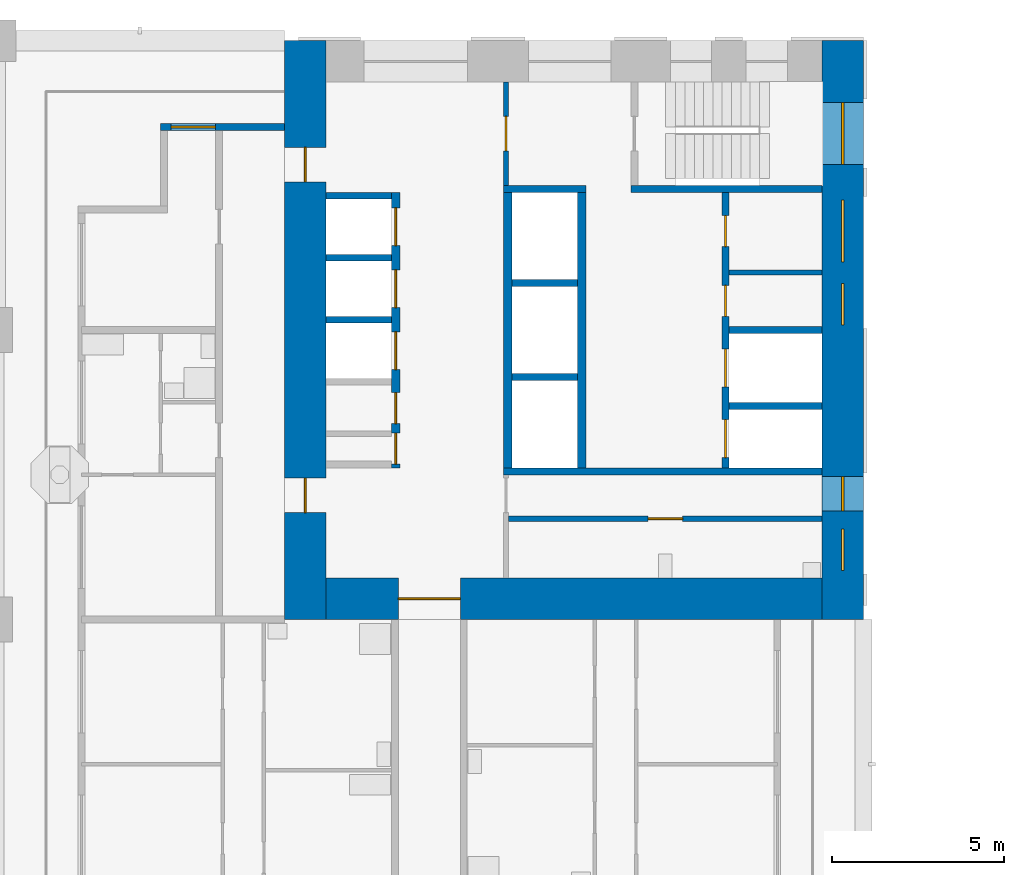
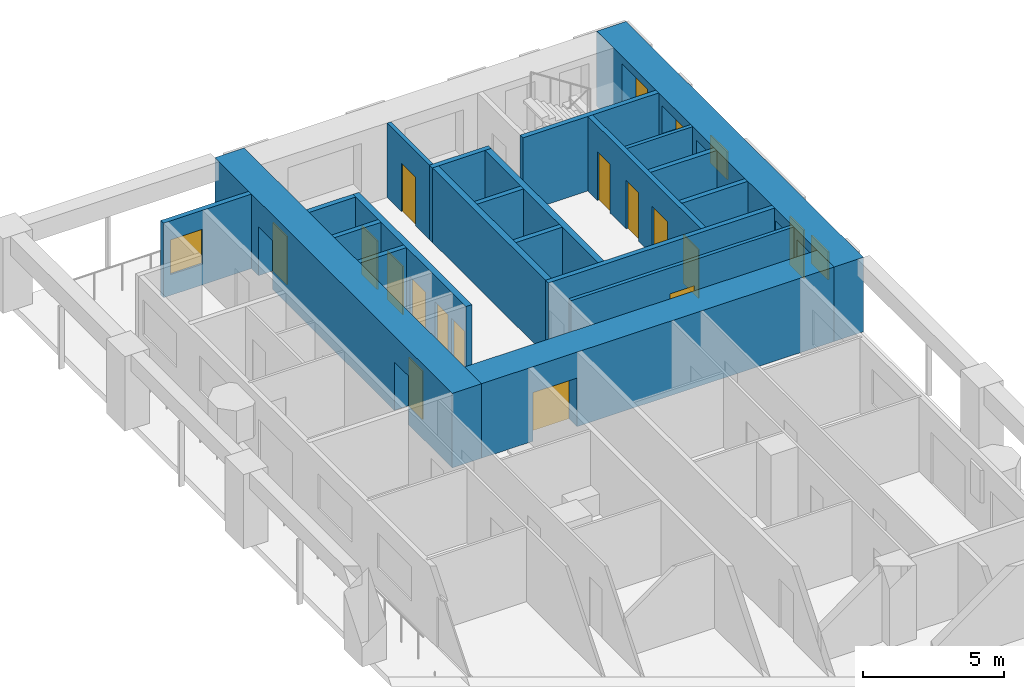
# One storey, part 7 of 18: 21 walls, 14 doors, 6 windows, 20 openings.
"""IFC4 building model written with IfcOpenShell, lengths in metres."""

from ifc_helpers import new_model, si_unit, direction, frame, frame_2d, origin, place, context, subcontext, project, spatial, rectangle, extrude, material, layer, layer_set, type_object, element, fill, save


model = new_model("IFC4")

# Units and contexts
model_context = context("Model", 3, precision=1e-05, world=origin(), true_north=direction((0.0, 1.0)))
body_context = subcontext(model_context, "Body", "Model", "MODEL_VIEW")
ifc_project = project(units=[si_unit("LENGTHUNIT", "METRE"), si_unit("AREAUNIT", "SQUARE_METRE"), si_unit("VOLUMEUNIT", "CUBIC_METRE"), si_unit("PLANEANGLEUNIT", "RADIAN"), si_unit("MASSUNIT", "GRAM", prefix="KILO")], contexts=[model_context])

# Site, building, storey
site_placement = place(None, origin())
site = spatial("IfcSite", under=ifc_project, at=site_placement, CompositionType="ELEMENT")
building_placement = place(site_placement, origin())
building = spatial("IfcBuilding", under=site, at=building_placement, Name="Vermilion Gate Residences", CompositionType="ELEMENT")
storey_placement = place(building_placement, frame((0.0, 0.0, 102.199951171875)))
storey = spatial("IfcBuildingStorey", under=building, at=storey_placement, Name="L25", CompositionType="ELEMENT", Elevation=102.199951171875)

# Wall
ifc_material_1 = material(Name="Masonry blockwork", Category="masonry")
ifc_layer_1 = layer(ifc_material_1, 0.14990234375)
ifc_layer_set_1 = layer_set([ifc_layer_1], Name="BLOCKWORK PARTITION 150 EI 120")
wall_type_1 = type_object("IfcWallType", Name="BLOCKWORK PARTITION 150 EI 120", PredefinedType="PARTITIONING", material=ifc_layer_set_1)
wall_1_placement = place(storey_placement, frame((21.300048828125, 52.074951171875, 0.0), z_axis=(0.0, 0.0, 1.0), x_axis=(1.0, 0.0, 0.0)))
element("IfcWall", 1, at=wall_1_placement, inside=storey, type_object=wall_type_1, Name="Core room partition B25-NR-P0", PredefinedType="PARTITIONING", context=body_context, shape_type="SweptSolid", body=[
    extrude(rectangle(XDim=2.699951171875, YDim=0.14990234375, at=frame_2d((1.35009765625, 0.0))), origin(), (0.0, 0.0, 1.0), 3.219970703125),
])

# Wall, opening, door
wall_2_placement = place(storey_placement, frame((14.824951171875, 57.60009765625, 0.0), z_axis=(0.0, 0.0, 1.0), x_axis=(0.0, -1.0, 0.0)))
wall_2 = element("IfcWall", 2, at=wall_2_placement, inside=storey, type_object=wall_type_1, Name="Core room partition B25-VW-S", PredefinedType="PARTITIONING", context=body_context, shape_type="SweptSolid", body=[
    extrude(rectangle(XDim=3.0, YDim=0.14990234375, at=frame_2d((1.5, 0.0))), origin(), (0.0, 0.0, 1.0), 3.219970703125),
])
opening_1_placement = place(wall_2_placement, frame((1.0, 0.0, 0.0)))
opening_1 = element("IfcOpeningElement", 3, at=opening_1_placement, cuts=wall_2, Name="Opening DK25113", PredefinedType="OPENING", context=body_context, shape_type="SweptSolid", body=[
    extrude(rectangle(XDim=1.0, YDim=2.10009765625, at=frame_2d((0.5, 1.050048828125))), frame((0.0, 0.0849609375, 0.0), z_axis=(0.0, -1.0, 0.0), x_axis=(1.0, 0.0, 0.0)), (0.0, 0.0, 1.0), 0.169921875),
])
ifc_material_2 = material(Name="Steel", Category="steel")
door_type_1 = type_object("IfcDoorType", Name="FIRE DOOR FD60 1000 X 2100", OperationType="SINGLE_SWING_LEFT", PredefinedType="DOOR", material=ifc_material_2)
door_1_placement = place(opening_1_placement, frame((1.0, 0.0, 0.0), z_axis=(0.0, 0.0, 1.0), x_axis=(-1.0, 0.0, 0.0)))
door_1 = element("IfcDoor", 4, at=door_1_placement, inside=storey, type_object=door_type_1, Name="Stair vestibule door B25", OperationType="SINGLE_SWING_RIGHT", OverallHeight=2.10009765625, OverallWidth=1.0, PredefinedType="DOOR", context=body_context, shape_type="SweptSolid", body=[
    extrude(rectangle(XDim=1.0, YDim=2.10009765625, at=frame_2d((0.5, 1.050048828125))), frame((0.0, 0.02490234375, 0.0), z_axis=(0.0, -1.0, 0.0), x_axis=(1.0, 0.0, 0.0)), (0.0, 0.0, 1.0), 0.050048828125),
])
fill(opening_1, door_1)

wall_3_placement = place(storey_placement, frame((14.89990234375, 44.925048828125, 0.0), z_axis=(0.0, 0.0, 1.0), x_axis=(1.0, 0.0, 0.0)))
wall_3 = element("IfcWall", 5, at=wall_3_placement, inside=storey, type_object=wall_type_1, Name="Core room partition B25-ES-W", PredefinedType="PARTITIONING", context=body_context, shape_type="SweptSolid", body=[
    extrude(rectangle(XDim=9.10009765625, YDim=0.14990234375, at=frame_2d((4.550048828125, 0.0))), origin(), (0.0, 0.0, 1.0), 3.219970703125),
])
opening_2_placement = place(wall_3_placement, frame((4.050048828125, 0.0, 0.0)))
opening_2 = element("IfcOpeningElement", 6, at=opening_2_placement, cuts=wall_3, Name="Opening DK25116", PredefinedType="OPENING", context=body_context, shape_type="SweptSolid", body=[
    extrude(rectangle(XDim=1.0, YDim=2.10009765625, at=frame_2d((0.5, 1.050048828125))), frame((0.0, 0.0849609375, 0.0), z_axis=(0.0, -1.0, 0.0), x_axis=(1.0, 0.0, 0.0)), (0.0, 0.0, 1.0), 0.169921875),
])
door_2_placement = place(opening_2_placement, frame((1.0, 0.0, 0.0), z_axis=(0.0, 0.0, 1.0), x_axis=(-1.0, 0.0, 0.0)))
door_2 = element("IfcDoor", 7, at=door_2_placement, inside=storey, type_object=door_type_1, Name="Accessible WC B25", OperationType="SINGLE_SWING_RIGHT", OverallHeight=2.10009765625, OverallWidth=1.0, PredefinedType="DOOR", context=body_context, shape_type="SweptSolid", body=[
    extrude(rectangle(XDim=1.0, YDim=2.10009765625, at=frame_2d((0.5, 1.050048828125))), frame((0.0, 0.02490234375, 0.0), z_axis=(0.0, -1.0, 0.0), x_axis=(1.0, 0.0, 0.0)), (0.0, 0.0, 1.0), 0.050048828125),
])
fill(opening_2, door_2)

# Wall, opening, window
ifc_material_3 = material(Name="Insulated steel stud wall with terracotta rainscreen", Category="masonry")
ifc_layer_2 = layer(ifc_material_3, 0.199951171875)
ifc_layer_set_2 = layer_set([ifc_layer_2], Name="EXTERNAL WALL 200 TERRACOTTA RAINSCREEN")
wall_type_2 = type_object("IfcWallType", Name="EXTERNAL WALL 200 TERRACOTTA RAINSCREEN", PredefinedType="SOLIDWALL", material=ifc_layer_set_2)
wall_4_placement = place(storey_placement, frame((8.39990234375, 56.300048828125, 0.0), z_axis=(0.0, 0.0, 1.0), x_axis=(-1.0, 0.0, 0.0)))
wall_4 = element("IfcWall", 8, at=wall_4_placement, inside=storey, type_object=wall_type_2, Name="External wall", PredefinedType="SOLIDWALL", context=body_context, shape_type="SweptSolid", body=[
    extrude(rectangle(XDim=3.599853515625, YDim=0.199951171875, at=frame_2d((1.7998046875, 0.0))), origin(), (0.0, 0.0, 1.0), 3.219970703125),
])
opening_3_placement = place(wall_4_placement, frame((2.0, 0.0, 0.89990234375)))
opening_3 = element("IfcOpeningElement", 9, at=opening_3_placement, cuts=wall_4, Name="Opening WE25001", PredefinedType="OPENING", context=body_context, shape_type="SweptSolid", body=[
    extrude(rectangle(XDim=1.300048828125, YDim=1.5, at=frame_2d((0.64990234375, 0.75))), frame((0.0, 0.10986328125, 0.0), z_axis=(0.0, -1.0, 0.0), x_axis=(1.0, 0.0, 0.0)), (0.0, 0.0, 1.0), 0.219970703125),
])
ifc_material_4 = material(Name="Aluminium and clear glass", Category="aluminium")
window_type_1 = type_object("IfcWindowType", Name="WINDOW 1300 X 1500", PartitioningType="SINGLE_PANEL", PredefinedType="WINDOW", material=ifc_material_4)
window_1_placement = place(opening_3_placement, origin())
window_1 = element("IfcWindow", 10, at=window_1_placement, inside=storey, type_object=window_type_1, Name="Window", OverallHeight=1.5, OverallWidth=1.300048828125, PartitioningType="SINGLE_PANEL", PredefinedType="WINDOW", context=body_context, shape_type="SweptSolid", body=[
    extrude(rectangle(XDim=1.300048828125, YDim=1.5, at=frame_2d((0.64990234375, 0.75))), frame((0.0, 0.030029296875, 0.0), z_axis=(0.0, -1.0, 0.0), x_axis=(1.0, 0.0, 0.0)), (0.0, 0.0, 1.0), 0.06005859375),
])
fill(opening_3, window_1)

# Walls
ifc_material_5 = material(Name="Concrete C60", Category="concrete")
ifc_layer_3 = layer(ifc_material_5, 0.199951171875)
ifc_layer_set_3 = layer_set([ifc_layer_3], Name="RC CORE INTERNAL WALL 200 C60")
wall_type_3 = type_object("IfcWallType", Name="RC CORE INTERNAL WALL 200 C60", PredefinedType="SHEAR", material=ifc_layer_set_3)
for number, where, z_axis, x_axis, name in (
    (11, (9.60009765625, 54.300048828125, 0.0), (0.0, 0.0, 1.0), (1.0, 0.0, 0.0), "Core internal wall B25-LR-D0"),
    (12, (9.60009765625, 52.5, 0.0), (0.0, 0.0, 1.0), (1.0, 0.0, 0.0), "Core internal wall B25-LR-D1"),
    (13, (9.60009765625, 50.699951171875, 0.0), (0.0, 0.0, 1.0), (1.0, 0.0, 0.0), "Core internal wall B25-LR-D2"),
    (14, (15.0, 51.7666015625, 0.0), (0.0, 0.0, 1.0), (1.0, 0.0, 0.0), "Core internal wall B25-HR-D1"),
    (15, (15.0, 49.033447265625, 0.0), (0.0, 0.0, 1.0), (1.0, 0.0, 0.0), "Core internal wall B25-HR-D2"),
):
    element("IfcWall", number, at=place(storey_placement, frame(where, z_axis=z_axis, x_axis=x_axis)), inside=storey, type_object=wall_type_3, Name=name, PredefinedType="SHEAR", context=body_context, shape_type="SweptSolid", body=[
        extrude(rectangle(XDim=1.89990234375, YDim=0.199951171875, at=frame_2d((0.949951171875, 0.0))), origin(), (0.0, 0.0, 1.0), 3.219970703125),
    ])
for number, where, z_axis, x_axis, name in (
    (16, (21.300048828125, 50.39990234375, 0.0), (0.0, 0.0, 1.0), (1.0, 0.0, 0.0), "Core internal wall B25-FF-D0"),
    (17, (21.300048828125, 48.199951171875, 0.0), (0.0, 0.0, 1.0), (1.0, 0.0, 0.0), "Core internal wall B25-FF-D1"),
):
    element("IfcWall", number, at=place(storey_placement, frame(where, z_axis=z_axis, x_axis=x_axis)), inside=storey, type_object=wall_type_3, Name=name, PredefinedType="SHEAR", context=body_context, shape_type="SweptSolid", body=[
        extrude(rectangle(XDim=2.699951171875, YDim=0.199951171875, at=frame_2d((1.35009765625, 0.0))), origin(), (0.0, 0.0, 1.0), 3.219970703125),
    ])

# Wall, openings, doors
wall_5_placement = place(storey_placement, frame((21.199951171875, 54.39990234375, 0.0), z_axis=(0.0, 0.0, 1.0), x_axis=(0.0, -1.0, 0.0)))
wall_5 = element("IfcWall", 18, at=wall_5_placement, inside=storey, type_object=wall_type_3, Name="Core internal wall B25-FF-F", PredefinedType="SHEAR", context=body_context, shape_type="SweptSolid", body=[
    extrude(rectangle(XDim=8.0, YDim=0.199951171875, at=frame_2d((4.0, 0.0))), origin(), (0.0, 0.0, 1.0), 3.219970703125),
])
opening_4_placement = place(wall_5_placement, frame((0.675048828125, 0.0, 0.0)))
opening_4 = element("IfcOpeningElement", 19, at=opening_4_placement, cuts=wall_5, Name="Opening DK25109", PredefinedType="OPENING", context=body_context, shape_type="SweptSolid", body=[
    extrude(rectangle(XDim=0.89990234375, YDim=2.10009765625, at=frame_2d((0.449951171875, 1.050048828125))), frame((0.0, 0.10986328125, 0.0), z_axis=(0.0, -1.0, 0.0), x_axis=(1.0, 0.0, 0.0)), (0.0, 0.0, 1.0), 0.219970703125),
])
opening_5_placement = place(wall_5_placement, frame((2.699951171875, 0.0, 0.0)))
opening_5 = element("IfcOpeningElement", 20, at=opening_5_placement, cuts=wall_5, Name="Opening DK25110", PredefinedType="OPENING", context=body_context, shape_type="SweptSolid", body=[
    extrude(rectangle(XDim=0.89990234375, YDim=2.10009765625, at=frame_2d((0.449951171875, 1.050048828125))), frame((0.0, 0.10986328125, 0.0), z_axis=(0.0, -1.0, 0.0), x_axis=(1.0, 0.0, 0.0)), (0.0, 0.0, 1.0), 0.219970703125),
])
opening_6_placement = place(wall_5_placement, frame((4.550048828125, 0.0, 0.0)))
opening_6 = element("IfcOpeningElement", 21, at=opening_6_placement, cuts=wall_5, Name="Opening LD", PredefinedType="OPENING", context=body_context, shape_type="SweptSolid", body=[
    extrude(rectangle(XDim=1.10009765625, YDim=2.10009765625, at=frame_2d((0.550048828125, 1.050048828125))), frame((0.0, 0.10986328125, 0.0), z_axis=(0.0, -1.0, 0.0), x_axis=(1.0, 0.0, 0.0)), (0.0, 0.0, 1.0), 0.219970703125),
])
opening_7_placement = place(wall_5_placement, frame((6.60009765625, 0.0, 0.0)))
opening_7 = element("IfcOpeningElement", 22, at=opening_7_placement, cuts=wall_5, Name="Opening LD", PredefinedType="OPENING", context=body_context, shape_type="SweptSolid", body=[
    extrude(rectangle(XDim=1.10009765625, YDim=2.10009765625, at=frame_2d((0.550048828125, 1.050048828125))), frame((0.0, 0.10986328125, 0.0), z_axis=(0.0, -1.0, 0.0), x_axis=(1.0, 0.0, 0.0)), (0.0, 0.0, 1.0), 0.219970703125),
])
ifc_material_6 = material(Name="Stainless steel", Category="steel")
door_type_2 = type_object("IfcDoorType", Name="LIFT LANDING DOOR E60 1100 X 2100", OperationType="DOUBLE_DOOR_SLIDING", PredefinedType="DOOR", material=ifc_material_6)
door_3_placement = place(opening_6_placement, origin())
door_3 = element("IfcDoor", 23, at=door_3_placement, inside=storey, type_object=door_type_2, Name="Lift landing door LFB1", OperationType="DOUBLE_DOOR_SLIDING", OverallHeight=2.10009765625, OverallWidth=1.10009765625, PredefinedType="DOOR", context=body_context, shape_type="SweptSolid", body=[
    extrude(rectangle(XDim=1.10009765625, YDim=2.10009765625, at=frame_2d((0.550048828125, 1.050048828125))), frame((0.0, 0.02490234375, 0.0), z_axis=(0.0, -1.0, 0.0), x_axis=(1.0, 0.0, 0.0)), (0.0, 0.0, 1.0), 0.050048828125),
])
fill(opening_6, door_3)
door_4_placement = place(opening_7_placement, origin())
door_4 = element("IfcDoor", 24, at=door_4_placement, inside=storey, type_object=door_type_2, Name="Lift landing door LCB1", OperationType="DOUBLE_DOOR_SLIDING", OverallHeight=2.10009765625, OverallWidth=1.10009765625, PredefinedType="DOOR", context=body_context, shape_type="SweptSolid", body=[
    extrude(rectangle(XDim=1.10009765625, YDim=2.10009765625, at=frame_2d((0.550048828125, 1.050048828125))), frame((0.0, 0.02490234375, 0.0), z_axis=(0.0, -1.0, 0.0), x_axis=(1.0, 0.0, 0.0)), (0.0, 0.0, 1.0), 0.050048828125),
])
fill(opening_7, door_4)
ifc_material_7 = material(Name="Steel", Category="steel")
door_type_3 = type_object("IfcDoorType", Name="SERVICE ROOM DOOR FD60 900 X 2100", OperationType="SINGLE_SWING_LEFT", PredefinedType="DOOR", material=ifc_material_7)
door_5_placement = place(opening_4_placement, origin())
door_5 = element("IfcDoor", 25, at=door_5_placement, inside=storey, type_object=door_type_3, Name="Housekeeping store B25", OperationType="SINGLE_SWING_RIGHT", OverallHeight=2.10009765625, OverallWidth=0.89990234375, PredefinedType="DOOR", context=body_context, shape_type="SweptSolid", body=[
    extrude(rectangle(XDim=0.89990234375, YDim=2.10009765625, at=frame_2d((0.449951171875, 1.050048828125))), frame((0.0, 0.02490234375, 0.0), z_axis=(0.0, -1.0, 0.0), x_axis=(1.0, 0.0, 0.0)), (0.0, 0.0, 1.0), 0.050048828125),
])
fill(opening_4, door_5)
door_6_placement = place(opening_5_placement, origin())
door_6 = element("IfcDoor", 26, at=door_6_placement, inside=storey, type_object=door_type_3, Name="Mail room B25", OperationType="SINGLE_SWING_RIGHT", OverallHeight=2.10009765625, OverallWidth=0.89990234375, PredefinedType="DOOR", context=body_context, shape_type="SweptSolid", body=[
    extrude(rectangle(XDim=0.89990234375, YDim=2.10009765625, at=frame_2d((0.449951171875, 1.050048828125))), frame((0.0, 0.02490234375, 0.0), z_axis=(0.0, -1.0, 0.0), x_axis=(1.0, 0.0, 0.0)), (0.0, 0.0, 1.0), 0.050048828125),
])
fill(opening_5, door_6)

# Walls
wall_6_placement = place(storey_placement, frame((14.75, 54.5, 0.0), z_axis=(0.0, 0.0, 1.0), x_axis=(1.0, 0.0, 0.0)))
element("IfcWall", 27, at=wall_6_placement, inside=storey, type_object=wall_type_3, Name="Core internal wall B25-WDIV1", PredefinedType="SHEAR", context=body_context, shape_type="SweptSolid", body=[
    extrude(rectangle(XDim=2.39990234375, YDim=0.199951171875, at=frame_2d((1.199951171875, 0.0))), origin(), (0.0, 0.0, 1.0), 3.219970703125),
])
wall_7_placement = place(storey_placement, frame((18.449951171875, 54.5, 0.0), z_axis=(0.0, 0.0, 1.0), x_axis=(1.0, 0.0, 0.0)))
element("IfcWall", 28, at=wall_7_placement, inside=storey, type_object=wall_type_3, Name="Core internal wall B25-WDIV2", PredefinedType="SHEAR", context=body_context, shape_type="SweptSolid", body=[
    extrude(rectangle(XDim=5.550048828125, YDim=0.199951171875, at=frame_2d((2.77490234375, 0.0))), origin(), (0.0, 0.0, 1.0), 3.219970703125),
])
wall_8_placement = place(storey_placement, frame((14.75, 46.300048828125, 0.0), z_axis=(0.0, 0.0, 1.0), x_axis=(1.0, 0.0, 0.0)))
element("IfcWall", 29, at=wall_8_placement, inside=storey, type_object=wall_type_3, Name="Core internal wall B25-EDIV", PredefinedType="SHEAR", context=body_context, shape_type="SweptSolid", body=[
    extrude(rectangle(XDim=9.25, YDim=0.199951171875, at=frame_2d((4.625, 0.0))), origin(), (0.0, 0.0, 1.0), 3.219970703125),
])

# Wall, openings, doors
ifc_material_8 = material(Name="Concrete C70", Category="concrete")
ifc_layer_4 = layer(ifc_material_8, 1.199951171875)
ifc_layer_set_4 = layer_set([ifc_layer_4], Name="RC CORE WALL 1200 C70")
wall_type_4 = type_object("IfcWallType", Name="RC CORE WALL 1200 C70", PredefinedType="SHEAR", material=ifc_layer_set_4)
wall_9_placement = place(storey_placement, frame((9.0, 58.800048828125, 0.0), z_axis=(0.0, 0.0, 1.0), x_axis=(0.0, -1.0, 0.0)))
wall_9 = element("IfcWall", 30, at=wall_9_placement, inside=storey, type_object=wall_type_4, Name="Core wall B25-OUT-B0", PredefinedType="SHEAR", context=body_context, shape_type="SweptSolid", body=[
    extrude(rectangle(XDim=16.800048828125, YDim=1.199951171875, at=frame_2d((8.39990234375, 0.0))), origin(), (0.0, 0.0, 1.0), 3.219970703125),
])
opening_8_placement = place(wall_9_placement, frame((3.10009765625, 0.0, 0.0)))
opening_8 = element("IfcOpeningElement", 31, at=opening_8_placement, cuts=wall_9, Name="Opening DK25101", PredefinedType="OPENING", context=body_context, shape_type="SweptSolid", body=[
    extrude(rectangle(XDim=1.0, YDim=2.10009765625, at=frame_2d((0.5, 1.050048828125))), frame((0.0, 0.60986328125, 0.0), z_axis=(0.0, -1.0, 0.0), x_axis=(1.0, 0.0, 0.0)), (0.0, 0.0, 1.0), 1.219970703125),
])
opening_9_placement = place(wall_9_placement, frame((12.699951171875, 0.0, 0.0)))
opening_9 = element("IfcOpeningElement", 32, at=opening_9_placement, cuts=wall_9, Name="Opening DK25102", PredefinedType="OPENING", context=body_context, shape_type="SweptSolid", body=[
    extrude(rectangle(XDim=1.0, YDim=2.10009765625, at=frame_2d((0.5, 1.050048828125))), frame((0.0, 0.60986328125, 0.0), z_axis=(0.0, -1.0, 0.0), x_axis=(1.0, 0.0, 0.0)), (0.0, 0.0, 1.0), 1.219970703125),
])
door_7_placement = place(opening_8_placement, origin())
door_7 = element("IfcDoor", 33, at=door_7_placement, inside=storey, type_object=door_type_1, Name="Core lobby side door B25", OperationType="SINGLE_SWING_RIGHT", OverallHeight=2.10009765625, OverallWidth=1.0, PredefinedType="DOOR", context=body_context, shape_type="SweptSolid", body=[
    extrude(rectangle(XDim=1.0, YDim=2.10009765625, at=frame_2d((0.5, 1.050048828125))), frame((0.0, 0.02490234375, 0.0), z_axis=(0.0, -1.0, 0.0), x_axis=(1.0, 0.0, 0.0)), (0.0, 0.0, 1.0), 0.050048828125),
])
fill(opening_8, door_7)
door_8_placement = place(opening_9_placement, origin())
door_8 = element("IfcDoor", 34, at=door_8_placement, inside=storey, type_object=door_type_1, Name="Core lobby side door B25", OperationType="SINGLE_SWING_LEFT", OverallHeight=2.10009765625, OverallWidth=1.0, PredefinedType="DOOR", context=body_context, shape_type="SweptSolid", body=[
    extrude(rectangle(XDim=1.0, YDim=2.10009765625, at=frame_2d((0.5, 1.050048828125))), frame((0.0, 0.02490234375, 0.0), z_axis=(0.0, -1.0, 0.0), x_axis=(1.0, 0.0, 0.0)), (0.0, 0.0, 1.0), 0.050048828125),
])
fill(opening_9, door_8)

# Wall, opening, door
wall_10_placement = place(storey_placement, frame((9.60009765625, 42.60009765625, 0.0), z_axis=(0.0, 0.0, 1.0), x_axis=(1.0, 0.0, 0.0)))
wall_10 = element("IfcWall", 35, at=wall_10_placement, inside=storey, type_object=wall_type_4, Name="Core wall B25-OUT-BK", PredefinedType="SHEAR", context=body_context, shape_type="SweptSolid", body=[
    extrude(rectangle(XDim=14.39990234375, YDim=1.199951171875, at=frame_2d((7.199951171875, 0.0))), origin(), (0.0, 0.0, 1.0), 3.219970703125),
])
opening_10_placement = place(wall_10_placement, frame((2.10009765625, 0.0, 0.0)))
opening_10 = element("IfcOpeningElement", 36, at=opening_10_placement, cuts=wall_10, Name="Opening DK25103", PredefinedType="OPENING", context=body_context, shape_type="SweptSolid", body=[
    extrude(rectangle(XDim=1.800048828125, YDim=2.10009765625, at=frame_2d((0.89990234375, 1.050048828125))), frame((0.0, 0.60986328125, 0.0), z_axis=(0.0, -1.0, 0.0), x_axis=(1.0, 0.0, 0.0)), (0.0, 0.0, 1.0), 1.219970703125),
])
ifc_material_9 = material(Name="Steel", Category="steel")
door_type_4 = type_object("IfcDoorType", Name="CORE LOBBY DOOR FD60 1800 X 2100", OperationType="DOUBLE_DOOR_SINGLE_SWING", PredefinedType="DOOR", material=ifc_material_9)
door_9_placement = place(opening_10_placement, origin())
door_9 = element("IfcDoor", 37, at=door_9_placement, inside=storey, type_object=door_type_4, Name="Core lobby door B25", OperationType="DOUBLE_DOOR_SINGLE_SWING", OverallHeight=2.10009765625, OverallWidth=1.800048828125, PredefinedType="DOOR", context=body_context, shape_type="SweptSolid", body=[
    extrude(rectangle(XDim=1.800048828125, YDim=2.10009765625, at=frame_2d((0.89990234375, 1.050048828125))), frame((0.0, 0.02490234375, 0.0), z_axis=(0.0, -1.0, 0.0), x_axis=(1.0, 0.0, 0.0)), (0.0, 0.0, 1.0), 0.050048828125),
])
fill(opening_10, door_9)

# Wall, openings, windows
ifc_material_10 = material(Name="Concrete C70 red-oxide pigmented", Category="concrete")
ifc_layer_5 = layer(ifc_material_10, 1.199951171875)
ifc_layer_set_5 = layer_set([ifc_layer_5], Name="RC CORE WALL 1200 C70 RED OXIDE")
wall_type_5 = type_object("IfcWallType", Name="RC CORE WALL 1200 C70 RED OXIDE", PredefinedType="SHEAR", material=ifc_layer_set_5)
wall_11_placement = place(storey_placement, frame((24.60009765625, 58.800048828125, 0.0), z_axis=(0.0, 0.0, 1.0), x_axis=(0.0, -1.0, 0.0)))
wall_11 = element("IfcWall", 38, at=wall_11_placement, inside=storey, type_object=wall_type_5, Name="Core wall B25-OUT-B1", PredefinedType="SHEAR", context=body_context, shape_type="SweptSolid", body=[
    extrude(rectangle(XDim=16.800048828125, YDim=1.199951171875, at=frame_2d((8.39990234375, 0.0))), origin(), (0.0, 0.0, 1.0), 3.219970703125),
])
opening_11_placement = place(wall_11_placement, frame((1.800048828125, 0.0, 0.5)))
opening_11 = element("IfcOpeningElement", 39, at=opening_11_placement, cuts=wall_11, Name="Opening WKB2501", PredefinedType="OPENING", context=body_context, shape_type="SweptSolid", body=[
    extrude(rectangle(XDim=1.800048828125, YDim=2.39990234375, at=frame_2d((0.89990234375, 1.199951171875))), frame((0.0, 0.60986328125, 0.0), z_axis=(0.0, -1.0, 0.0), x_axis=(1.0, 0.0, 0.0)), (0.0, 0.0, 1.0), 1.219970703125),
])
opening_12_placement = place(wall_11_placement, frame((4.625, 0.0, 1.60009765625)))
opening_12 = element("IfcOpeningElement", 40, at=opening_12_placement, cuts=wall_11, Name="Opening WKB2502", PredefinedType="OPENING", context=body_context, shape_type="SweptSolid", body=[
    extrude(rectangle(XDim=1.800048828125, YDim=1.199951171875, at=frame_2d((0.89990234375, 0.60009765625))), frame((0.0, 0.60986328125, 0.0), z_axis=(0.0, -1.0, 0.0), x_axis=(1.0, 0.0, 0.0)), (0.0, 0.0, 1.0), 1.219970703125),
])
opening_13_placement = place(wall_11_placement, frame((7.050048828125, 0.0, 1.60009765625)))
opening_13 = element("IfcOpeningElement", 41, at=opening_13_placement, cuts=wall_11, Name="Opening WKB2503", PredefinedType="OPENING", context=body_context, shape_type="SweptSolid", body=[
    extrude(rectangle(XDim=1.199951171875, YDim=1.199951171875, at=frame_2d((0.60009765625, 0.60009765625))), frame((0.0, 0.60986328125, 0.0), z_axis=(0.0, -1.0, 0.0), x_axis=(1.0, 0.0, 0.0)), (0.0, 0.0, 1.0), 1.219970703125),
])
opening_14_placement = place(wall_11_placement, frame((12.64990234375, 0.0, 0.60009765625)))
opening_14 = element("IfcOpeningElement", 42, at=opening_14_placement, cuts=wall_11, Name="Opening WKB2504", PredefinedType="OPENING", context=body_context, shape_type="SweptSolid", body=[
    extrude(rectangle(XDim=1.0, YDim=2.10009765625, at=frame_2d((0.5, 1.050048828125))), frame((0.0, 0.60986328125, 0.0), z_axis=(0.0, -1.0, 0.0), x_axis=(1.0, 0.0, 0.0)), (0.0, 0.0, 1.0), 1.219970703125),
])
opening_15_placement = place(wall_11_placement, frame((14.175048828125, 0.0, 1.60009765625)))
opening_15 = element("IfcOpeningElement", 43, at=opening_15_placement, cuts=wall_11, Name="Opening WKB2505", PredefinedType="OPENING", context=body_context, shape_type="SweptSolid", body=[
    extrude(rectangle(XDim=1.199951171875, YDim=1.199951171875, at=frame_2d((0.60009765625, 0.60009765625))), frame((0.0, 0.60986328125, 0.0), z_axis=(0.0, -1.0, 0.0), x_axis=(1.0, 0.0, 0.0)), (0.0, 0.0, 1.0), 1.219970703125),
])
ifc_material_11 = material(Name="Aluminium and clear glass", Category="aluminium")
window_type_2 = type_object("IfcWindowType", Name="CORE CORRIDOR WINDOW 1000 X 2100", PartitioningType="SINGLE_PANEL", PredefinedType="WINDOW", material=ifc_material_11)
window_2_placement = place(opening_14_placement, origin())
window_2 = element("IfcWindow", 44, at=window_2_placement, inside=storey, type_object=window_type_2, Name="Core corridor window", OverallHeight=2.10009765625, OverallWidth=1.0, PartitioningType="SINGLE_PANEL", PredefinedType="WINDOW", context=body_context, shape_type="SweptSolid", body=[
    extrude(rectangle(XDim=1.0, YDim=2.10009765625, at=frame_2d((0.5, 1.050048828125))), frame((0.0, 0.030029296875, 0.0), z_axis=(0.0, -1.0, 0.0), x_axis=(1.0, 0.0, 0.0)), (0.0, 0.0, 1.0), 0.06005859375),
])
fill(opening_14, window_2)
ifc_material_12 = material(Name="Aluminium frame with louvre blades", Category="aluminium")
window_type_3 = type_object("IfcWindowType", Name="CORE LOUVRE 1200 X 1200", PartitioningType="SINGLE_PANEL", PredefinedType="WINDOW", material=ifc_material_12)
window_3_placement = place(opening_13_placement, origin())
window_3 = element("IfcWindow", 45, at=window_3_placement, inside=storey, type_object=window_type_3, Name="Core louvre", OverallHeight=1.199951171875, OverallWidth=1.199951171875, PartitioningType="SINGLE_PANEL", PredefinedType="WINDOW", context=body_context, shape_type="SweptSolid", body=[
    extrude(rectangle(XDim=1.199951171875, YDim=1.199951171875, at=frame_2d((0.60009765625, 0.60009765625))), frame((0.0, 0.030029296875, 0.0), z_axis=(0.0, -1.0, 0.0), x_axis=(1.0, 0.0, 0.0)), (0.0, 0.0, 1.0), 0.06005859375),
])
fill(opening_13, window_3)
window_4_placement = place(opening_15_placement, origin())
window_4 = element("IfcWindow", 46, at=window_4_placement, inside=storey, type_object=window_type_3, Name="Core louvre", OverallHeight=1.199951171875, OverallWidth=1.199951171875, PartitioningType="SINGLE_PANEL", PredefinedType="WINDOW", context=body_context, shape_type="SweptSolid", body=[
    extrude(rectangle(XDim=1.199951171875, YDim=1.199951171875, at=frame_2d((0.60009765625, 0.60009765625))), frame((0.0, 0.030029296875, 0.0), z_axis=(0.0, -1.0, 0.0), x_axis=(1.0, 0.0, 0.0)), (0.0, 0.0, 1.0), 0.06005859375),
])
fill(opening_15, window_4)
ifc_material_13 = material(Name="Aluminium frame with louvre blades", Category="aluminium")
window_type_4 = type_object("IfcWindowType", Name="CORE LOUVRE 1800 X 1200", PartitioningType="SINGLE_PANEL", PredefinedType="WINDOW", material=ifc_material_13)
window_5_placement = place(opening_12_placement, origin())
window_5 = element("IfcWindow", 47, at=window_5_placement, inside=storey, type_object=window_type_4, Name="Core louvre", OverallHeight=1.199951171875, OverallWidth=1.800048828125, PartitioningType="SINGLE_PANEL", PredefinedType="WINDOW", context=body_context, shape_type="SweptSolid", body=[
    extrude(rectangle(XDim=1.800048828125, YDim=1.199951171875, at=frame_2d((0.89990234375, 0.60009765625))), frame((0.0, 0.030029296875, 0.0), z_axis=(0.0, -1.0, 0.0), x_axis=(1.0, 0.0, 0.0)), (0.0, 0.0, 1.0), 0.06005859375),
])
fill(opening_12, window_5)
ifc_material_14 = material(Name="Aluminium and clear glass", Category="aluminium")
window_type_5 = type_object("IfcWindowType", Name="CORE STAIR WINDOW 1800 X 2400", PartitioningType="SINGLE_PANEL", PredefinedType="WINDOW", material=ifc_material_14)
window_6_placement = place(opening_11_placement, origin())
window_6 = element("IfcWindow", 48, at=window_6_placement, inside=storey, type_object=window_type_5, Name="Core stair window", OverallHeight=2.39990234375, OverallWidth=1.800048828125, PartitioningType="SINGLE_PANEL", PredefinedType="WINDOW", context=body_context, shape_type="SweptSolid", body=[
    extrude(rectangle(XDim=1.800048828125, YDim=2.39990234375, at=frame_2d((0.89990234375, 1.199951171875))), frame((0.0, 0.030029296875, 0.0), z_axis=(0.0, -1.0, 0.0), x_axis=(1.0, 0.0, 0.0)), (0.0, 0.0, 1.0), 0.06005859375),
])
fill(opening_11, window_6)

# Wall, openings, doors
ifc_material_15 = material(Name="Concrete C60", Category="concrete")
ifc_layer_6 = layer(ifc_material_15, 0.25)
ifc_layer_set_6 = layer_set([ifc_layer_6], Name="RC LIFT SHAFT WALL 250 C60")
wall_type_6 = type_object("IfcWallType", Name="RC LIFT SHAFT WALL 250 C60", PredefinedType="SHEAR", material=ifc_layer_set_6)
wall_12_placement = place(storey_placement, frame((11.625, 54.39990234375, 0.0), z_axis=(0.0, 0.0, 1.0), x_axis=(0.0, -1.0, 0.0)))
wall_12 = element("IfcWall", 49, at=wall_12_placement, inside=storey, type_object=wall_type_6, Name="Lift shaft wall B25-LR-F", PredefinedType="SHEAR", context=body_context, shape_type="SweptSolid", body=[
    extrude(rectangle(XDim=8.0, YDim=0.25, at=frame_2d((4.0, 0.0))), origin(), (0.0, 0.0, 1.0), 3.219970703125),
])
opening_16_placement = place(wall_12_placement, frame((0.449951171875, 0.0, 0.0)))
opening_16 = element("IfcOpeningElement", 50, at=opening_16_placement, cuts=wall_12, Name="Opening LD", PredefinedType="OPENING", context=body_context, shape_type="SweptSolid", body=[
    extrude(rectangle(XDim=1.10009765625, YDim=2.10009765625, at=frame_2d((0.550048828125, 1.050048828125))), frame((0.0, 0.135009765625, 0.0), z_axis=(0.0, -1.0, 0.0), x_axis=(1.0, 0.0, 0.0)), (0.0, 0.0, 1.0), 0.27001953125),
])
opening_17_placement = place(wall_12_placement, frame((2.25, 0.0, 0.0)))
opening_17 = element("IfcOpeningElement", 51, at=opening_17_placement, cuts=wall_12, Name="Opening LD", PredefinedType="OPENING", context=body_context, shape_type="SweptSolid", body=[
    extrude(rectangle(XDim=1.10009765625, YDim=2.10009765625, at=frame_2d((0.550048828125, 1.050048828125))), frame((0.0, 0.135009765625, 0.0), z_axis=(0.0, -1.0, 0.0), x_axis=(1.0, 0.0, 0.0)), (0.0, 0.0, 1.0), 0.27001953125),
])
opening_18_placement = place(wall_12_placement, frame((4.050048828125, 0.0, 0.0)))
opening_18 = element("IfcOpeningElement", 52, at=opening_18_placement, cuts=wall_12, Name="Opening LD", PredefinedType="OPENING", context=body_context, shape_type="SweptSolid", body=[
    extrude(rectangle(XDim=1.10009765625, YDim=2.10009765625, at=frame_2d((0.550048828125, 1.050048828125))), frame((0.0, 0.135009765625, 0.0), z_axis=(0.0, -1.0, 0.0), x_axis=(1.0, 0.0, 0.0)), (0.0, 0.0, 1.0), 0.27001953125),
])
opening_19_placement = place(wall_12_placement, frame((5.816162109375, 0.0, 0.0)))
opening_19 = element("IfcOpeningElement", 53, at=opening_19_placement, cuts=wall_12, Name="Opening DK25107", PredefinedType="OPENING", context=body_context, shape_type="SweptSolid", body=[
    extrude(rectangle(XDim=0.89990234375, YDim=2.10009765625, at=frame_2d((0.449951171875, 1.050048828125))), frame((0.0, 0.135009765625, 0.0), z_axis=(0.0, -1.0, 0.0), x_axis=(1.0, 0.0, 0.0)), (0.0, 0.0, 1.0), 0.27001953125),
])
opening_20_placement = place(wall_12_placement, frame((6.9912109375, 0.0, 0.0)))
opening_20 = element("IfcOpeningElement", 54, at=opening_20_placement, cuts=wall_12, Name="Opening DK25108", PredefinedType="OPENING", context=body_context, shape_type="SweptSolid", body=[
    extrude(rectangle(XDim=0.89990234375, YDim=2.10009765625, at=frame_2d((0.449951171875, 1.050048828125))), frame((0.0, 0.135009765625, 0.0), z_axis=(0.0, -1.0, 0.0), x_axis=(1.0, 0.0, 0.0)), (0.0, 0.0, 1.0), 0.27001953125),
])
door_10_placement = place(opening_16_placement, origin())
door_10 = element("IfcDoor", 55, at=door_10_placement, inside=storey, type_object=door_type_2, Name="Lift landing door LRB1", OperationType="DOUBLE_DOOR_SLIDING", OverallHeight=2.10009765625, OverallWidth=1.10009765625, PredefinedType="DOOR", context=body_context, shape_type="SweptSolid", body=[
    extrude(rectangle(XDim=1.10009765625, YDim=2.10009765625, at=frame_2d((0.550048828125, 1.050048828125))), frame((0.0, 0.02490234375, 0.0), z_axis=(0.0, -1.0, 0.0), x_axis=(1.0, 0.0, 0.0)), (0.0, 0.0, 1.0), 0.050048828125),
])
fill(opening_16, door_10)
door_11_placement = place(opening_17_placement, origin())
door_11 = element("IfcDoor", 56, at=door_11_placement, inside=storey, type_object=door_type_2, Name="Lift landing door LRB2", OperationType="DOUBLE_DOOR_SLIDING", OverallHeight=2.10009765625, OverallWidth=1.10009765625, PredefinedType="DOOR", context=body_context, shape_type="SweptSolid", body=[
    extrude(rectangle(XDim=1.10009765625, YDim=2.10009765625, at=frame_2d((0.550048828125, 1.050048828125))), frame((0.0, 0.02490234375, 0.0), z_axis=(0.0, -1.0, 0.0), x_axis=(1.0, 0.0, 0.0)), (0.0, 0.0, 1.0), 0.050048828125),
])
fill(opening_17, door_11)
door_12_placement = place(opening_18_placement, origin())
door_12 = element("IfcDoor", 57, at=door_12_placement, inside=storey, type_object=door_type_2, Name="Lift landing door LRB3", OperationType="DOUBLE_DOOR_SLIDING", OverallHeight=2.10009765625, OverallWidth=1.10009765625, PredefinedType="DOOR", context=body_context, shape_type="SweptSolid", body=[
    extrude(rectangle(XDim=1.10009765625, YDim=2.10009765625, at=frame_2d((0.550048828125, 1.050048828125))), frame((0.0, 0.02490234375, 0.0), z_axis=(0.0, -1.0, 0.0), x_axis=(1.0, 0.0, 0.0)), (0.0, 0.0, 1.0), 0.050048828125),
])
fill(opening_18, door_12)
door_13_placement = place(opening_19_placement, frame((0.89990234375, 0.0, 0.0), z_axis=(0.0, 0.0, 1.0), x_axis=(-1.0, 0.0, 0.0)))
door_13 = element("IfcDoor", 58, at=door_13_placement, inside=storey, type_object=door_type_3, Name="Housekeeping store B25", OperationType="SINGLE_SWING_LEFT", OverallHeight=2.10009765625, OverallWidth=0.89990234375, PredefinedType="DOOR", context=body_context, shape_type="SweptSolid", body=[
    extrude(rectangle(XDim=0.89990234375, YDim=2.10009765625, at=frame_2d((0.449951171875, 1.050048828125))), frame((0.0, 0.02490234375, 0.0), z_axis=(0.0, -1.0, 0.0), x_axis=(1.0, 0.0, 0.0)), (0.0, 0.0, 1.0), 0.050048828125),
])
fill(opening_19, door_13)
door_14_placement = place(opening_20_placement, origin())
door_14 = element("IfcDoor", 59, at=door_14_placement, inside=storey, type_object=door_type_3, Name="Fire equipment store B25", OperationType="SINGLE_SWING_LEFT", OverallHeight=2.10009765625, OverallWidth=0.89990234375, PredefinedType="DOOR", context=body_context, shape_type="SweptSolid", body=[
    extrude(rectangle(XDim=0.89990234375, YDim=2.10009765625, at=frame_2d((0.449951171875, 1.050048828125))), frame((0.0, 0.02490234375, 0.0), z_axis=(0.0, -1.0, 0.0), x_axis=(1.0, 0.0, 0.0)), (0.0, 0.0, 1.0), 0.050048828125),
])
fill(opening_20, door_14)

# Walls
for number, where, z_axis, x_axis, name in (
    (60, (14.875, 54.39990234375, 0.0), (0.0, 0.0, 1.0), (0.0, -1.0, 0.0), "Lift shaft wall B25-HR-F"),
    (61, (17.02490234375, 54.39990234375, 0.0), (0.0, 0.0, 1.0), (0.0, -1.0, 0.0), "Lift shaft wall B25-HR-B"),
):
    element("IfcWall", number, at=place(storey_placement, frame(where, z_axis=z_axis, x_axis=x_axis)), inside=storey, type_object=wall_type_6, Name=name, PredefinedType="SHEAR", context=body_context, shape_type="SweptSolid", body=[
        extrude(rectangle(XDim=8.0, YDim=0.25, at=frame_2d((4.0, 0.0))), origin(), (0.0, 0.0, 1.0), 3.219970703125),
    ])

save(model, "model.ifc")
